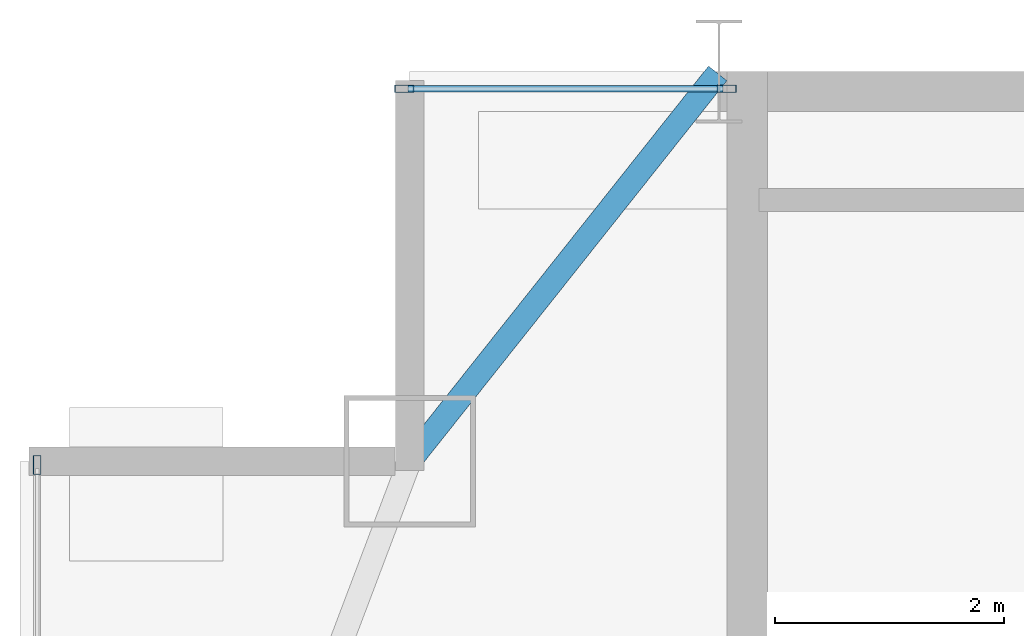
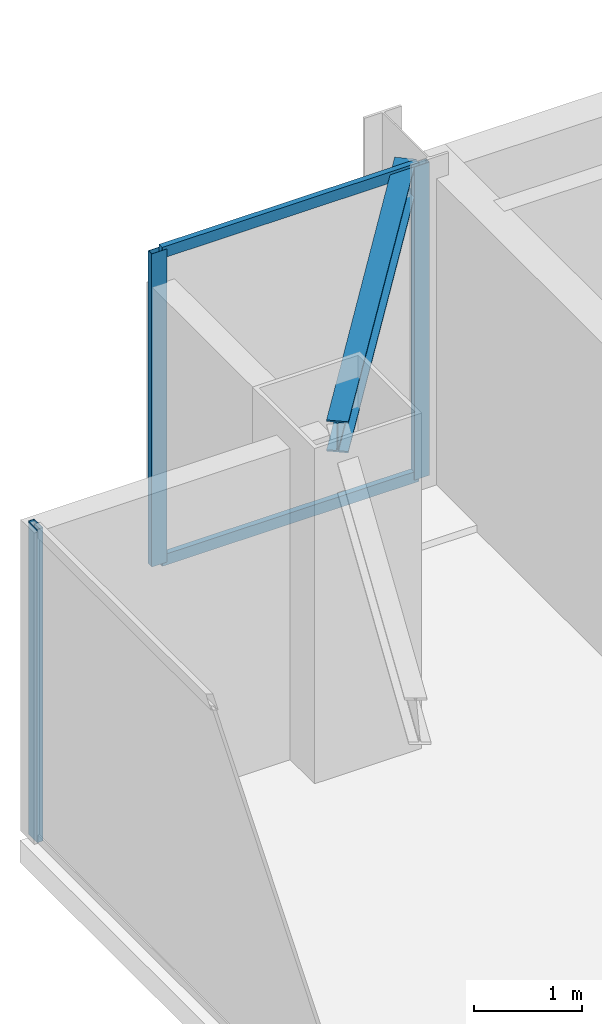
# One storey, part 22 of 33: 5 members, 1 beam, 2 elements without a shape of their own.
"""IFC4 building model written with IfcOpenShell, lengths in metres."""

from ifc_helpers import new_model, si_unit, direction, frame, origin, origin_2d, place, context, subcontext, project, spatial, hollow_rectangle, i_section, extrude, source, transform, mapped, material, layer, layer_set, material_profile, profile_set, type_object, type_shapes, element, aggregate, save


model = new_model("IFC4")

# Units and contexts
model_context = context("Model", 3, precision=1e-05, world=origin(), true_north=direction((0.0, 1.0)))
body_context = subcontext(model_context, "Body", "Model", "MODEL_VIEW")
ifc_project = project(units=[si_unit("LENGTHUNIT", "METRE"), si_unit("AREAUNIT", "SQUARE_METRE"), si_unit("VOLUMEUNIT", "CUBIC_METRE"), si_unit("PLANEANGLEUNIT", "RADIAN"), si_unit("MASSUNIT", "GRAM", prefix="KILO")], contexts=[model_context])

# Site, building, storey
site_placement = place(None, origin())
site = spatial("IfcSite", under=ifc_project, at=site_placement, CompositionType="ELEMENT")
building_placement = place(site_placement, origin())
building = spatial("IfcBuilding", under=site, at=building_placement, Name="Varnel Quay Broadcast Tower", CompositionType="ELEMENT")
storey_placement = place(building_placement, frame((0.0, 0.0, 199.800048828125)))
storey = spatial("IfcBuildingStorey", under=building, at=storey_placement, Name="L49", CompositionType="ELEMENT", Elevation=199.800048828125)

# Beam
ifc_material_1 = material(Name="Structural Steel CSA G40.21 350W", Category="steel")
ifc_material_profile_1 = material_profile(ifc_material_1, i_section(OverallWidth=0.205078125, OverallDepth=0.35400390625, WebThickness=0.009521484375, FlangeThickness=0.016845703125, FilletRadius=0.012939453125, at=origin_2d()), Name="W360X79")
ifc_profile_set_1 = profile_set([ifc_material_profile_1], Name="Structural Steel CSA G40.21 350W")
beam_type = type_object("IfcBeamType", Name="Beam_W360X79", PredefinedType="SPANDREL", material=ifc_profile_set_1)
shared_shape_1 = source(origin(), body_context, "Body", "SweptSolid", [
    extrude(i_section(OverallWidth=0.205078125, OverallDepth=0.35400390625, WebThickness=0.009521484375, FlangeThickness=0.016845703125, FilletRadius=0.012939453125, at=origin_2d()), origin(), (0.0, 0.0, 1.0), 4.301513671875),
])
type_shapes(beam_type, [shared_shape_1])
beam_placement = place(storey_placement, frame((12.912353515625, 43.415771484375, 3.373046875), z_axis=(0.621936399401, 0.783067758946, 0.0), x_axis=(-0.783067758946, 0.621936399401, 0.0)))
element("IfcBeam", 1, at=beam_placement, inside=storey, type_object=beam_type, Name="L49 NW Tie Spandrel", PredefinedType="SPANDREL", context=body_context, shape_type="MappedRepresentation", body=[
    mapped(shared_shape_1, transform((0.0, 0.0, 0.0), x_axis=(1.0, 0.0, 0.0), y_axis=(0.0, 1.0, 0.0), z_axis=(0.0, 0.0, 1.0), scale=1.0)),
])

# Curtain wall, member
ifc_material_2 = material(Name="Anodised Bronze Aluminium 6063-T6", Category="aluminium")
ifc_layer = layer(ifc_material_2, 0.18994140625, Name="Anodised Bronze Aluminium 6063-T6")
ifc_layer_set = layer_set([ifc_layer], Name="Anodised Bronze Aluminium 6063-T6")
curtain_wall_type = type_object("IfcCurtainWallType", Name="CW_UpperTower", PredefinedType="NOTDEFINED", material=ifc_layer_set)
curtain_wall_1_placement = place(storey_placement, origin())
curtain_wall_1 = element("IfcCurtainWall", 2, at=curtain_wall_1_placement, inside=storey, type_object=curtain_wall_type, Name="L49 West Unitised Curtain Wall", PredefinedType="NOTDEFINED")
ifc_material_profile_2 = material_profile(ifc_material_2, hollow_rectangle(XDim=0.06494140625, YDim=0.1650390625, WallThickness=0.00341796875, at=origin_2d()), Name="ALU65X165X3.5")
ifc_profile_set_2 = profile_set([ifc_material_profile_2], Name="Anodised Bronze Aluminium 6063-T6")
member_type_1 = type_object("IfcMemberType", Name="Mull_CWS-03", PredefinedType="MULLION", material=ifc_profile_set_2)
shared_shape_2 = source(origin(), body_context, "Body", "SweptSolid", [
    extrude(hollow_rectangle(XDim=0.06494140625, YDim=0.1650390625, WallThickness=0.00341796875, at=origin_2d()), origin(), (0.0, 0.0, 1.0), 3.550048828125),
])
type_shapes(member_type_1, [shared_shape_2])
member_1_placement = place(storey_placement, frame((9.64990234375, 43.367431640625, 0.0), z_axis=(0.0, 0.0, 1.0), x_axis=(-1.0, 0.0, 0.0)))
member_1 = element("IfcMember", 3, at=member_1_placement, type_object=member_type_1, Name="CWS-03 mullion 3", PredefinedType="MULLION", context=body_context, shape_type="MappedRepresentation", body=[
    mapped(shared_shape_2, transform((0.0, 0.0, 0.0), x_axis=(1.0, 0.0, 0.0), y_axis=(0.0, 1.0, 0.0), z_axis=(0.0, 0.0, 1.0), scale=1.0)),
])
aggregate(curtain_wall_1, [member_1])

# Curtain wall, members
curtain_wall_2_placement = place(storey_placement, origin())
curtain_wall_2 = element("IfcCurtainWall", 4, at=curtain_wall_2_placement, inside=storey, type_object=curtain_wall_type, Name="L49 NW Wing Curtain Wall", PredefinedType="NOTDEFINED")
member_2_placement = place(storey_placement, frame((12.8525390625, 46.64990234375, 0.0), z_axis=(0.0, 0.0, 1.0), x_axis=(0.0, 1.0, 0.0)))
member_2 = element("IfcMember", 5, at=member_2_placement, type_object=member_type_1, Name="CWS-03 mullion 1", PredefinedType="MULLION", context=body_context, shape_type="MappedRepresentation", body=[
    mapped(shared_shape_2, transform((0.0, 0.0, 0.0), x_axis=(1.0, 0.0, 0.0), y_axis=(0.0, 1.0, 0.0), z_axis=(0.0, 0.0, 1.0), scale=1.0)),
])
member_3_placement = place(storey_placement, frame((15.66748046875, 46.64990234375, 0.0), z_axis=(0.0, 0.0, 1.0), x_axis=(0.0, 1.0, 0.0)))
member_3 = element("IfcMember", 6, at=member_3_placement, type_object=member_type_1, Name="CWS-03 mullion 2", PredefinedType="MULLION", context=body_context, shape_type="MappedRepresentation", body=[
    mapped(shared_shape_2, transform((0.0, 0.0, 0.0), x_axis=(1.0, 0.0, 0.0), y_axis=(0.0, 1.0, 0.0), z_axis=(0.0, 0.0, 1.0), scale=1.0)),
])
ifc_material_profile_3 = material_profile(ifc_material_2, hollow_rectangle(XDim=0.06005859375, YDim=0.125, WallThickness=0.0029296875, at=origin_2d()), Name="ALU60X125X3")
ifc_profile_set_3 = profile_set([ifc_material_profile_3], Name="Anodised Bronze Aluminium 6063-T6")
member_type_2 = type_object("IfcMemberType", Name="Tran_CWS-03", PredefinedType="USERDEFINED", material=ifc_profile_set_3)
shared_shape_3 = source(origin(), body_context, "Body", "SweptSolid", [
    extrude(hollow_rectangle(XDim=0.06005859375, YDim=0.125, WallThickness=0.0029296875, at=origin_2d()), origin(), (0.0, 0.0, 1.0), 2.75),
])
type_shapes(member_type_2, [shared_shape_3])
member_4_placement = place(storey_placement, frame((12.885009765625, 46.64990234375, 0.030029296875), z_axis=(1.0, 0.0, 0.0), x_axis=(0.0, 1.0, 0.0)))
member_4 = element("IfcMember", 7, at=member_4_placement, type_object=member_type_2, Name="CWS-03 transom 1.1", ObjectType="TRANSOM", PredefinedType="USERDEFINED", context=body_context, shape_type="MappedRepresentation", body=[
    mapped(shared_shape_3, transform((0.0, 0.0, 0.0), x_axis=(1.0, 0.0, 0.0), y_axis=(0.0, 1.0, 0.0), z_axis=(0.0, 0.0, 1.0), scale=1.0)),
])
member_5_placement = place(storey_placement, frame((12.885009765625, 46.64990234375, 3.52001953125), z_axis=(1.0, 0.0, 0.0), x_axis=(0.0, 1.0, 0.0)))
member_5 = element("IfcMember", 8, at=member_5_placement, type_object=member_type_2, Name="CWS-03 transom 1.2", ObjectType="TRANSOM", PredefinedType="USERDEFINED", context=body_context, shape_type="MappedRepresentation", body=[
    mapped(shared_shape_3, transform((0.0, 0.0, 0.0), x_axis=(1.0, 0.0, 0.0), y_axis=(0.0, 1.0, 0.0), z_axis=(0.0, 0.0, 1.0), scale=1.0)),
])
aggregate(curtain_wall_2, [member_2, member_3, member_4, member_5])

save(model, "model.ifc")
